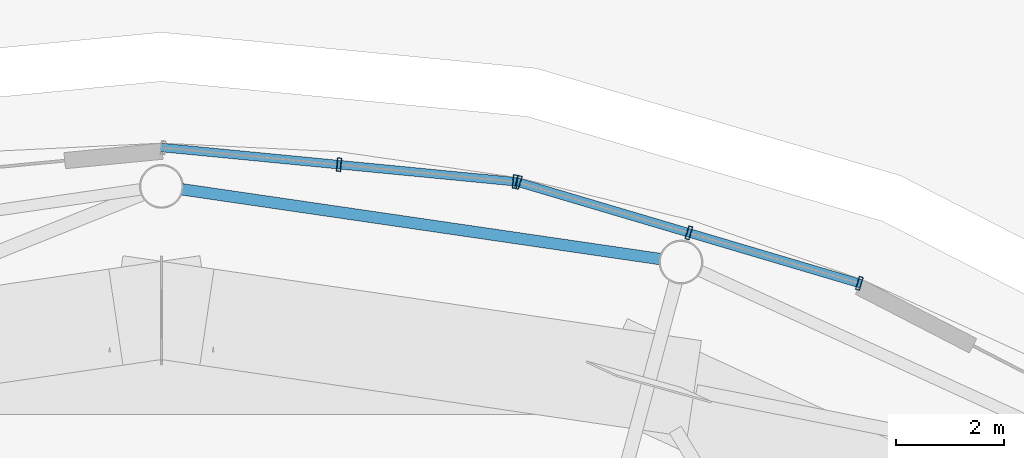
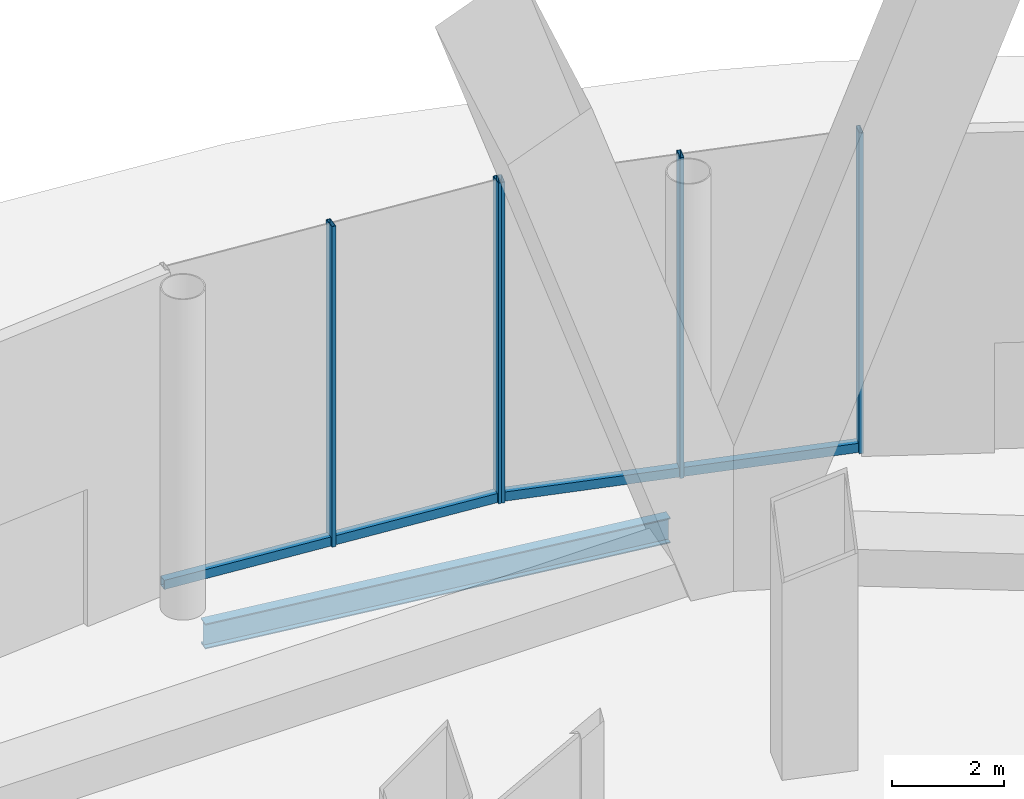
# One storey, part 53 of 67: 7 members, 1 beam, 2 elements without a shape of their own.
"""IFC4 building model written with IfcOpenShell, lengths in metres."""

from ifc_helpers import new_model, si_unit, direction, frame, origin, origin_2d, place, context, subcontext, project, spatial, hollow_rectangle, i_section, extrude, material, layer, layer_set, material_profile, profile_set, type_object, element, aggregate, save


model = new_model("IFC4")

# Units and contexts
model_context = context("Model", 3, precision=1e-05, world=origin(), true_north=direction((0.0, 1.0)))
body_context = subcontext(model_context, "Body", "Model", "MODEL_VIEW")
ifc_project = project(units=[si_unit("LENGTHUNIT", "METRE"), si_unit("AREAUNIT", "SQUARE_METRE"), si_unit("VOLUMEUNIT", "CUBIC_METRE"), si_unit("PLANEANGLEUNIT", "RADIAN"), si_unit("MASSUNIT", "GRAM", prefix="KILO")], contexts=[model_context])

# Site, building, storey
site_placement = place(None, origin())
site = spatial("IfcSite", under=ifc_project, at=site_placement, CompositionType="ELEMENT")
building_placement = place(site_placement, origin())
building = spatial("IfcBuilding", under=site, at=building_placement, Name="Nagisa Residences", CompositionType="ELEMENT")
storey_placement = place(building_placement, origin())
storey = spatial("IfcBuildingStorey", under=building, at=storey_placement, Name="L00", CompositionType="ELEMENT", Elevation=0.0)

# Beam
ifc_material_1 = material(Name="Steel ASTM A572 Gr 50", Category="steel")
ifc_material_profile_1 = material_profile(ifc_material_1, i_section(OverallWidth=0.214111328125, OverallDepth=0.549072265625, WebThickness=0.0146484375, FlangeThickness=0.023681640625, at=origin_2d()), Name="W530x138")
ifc_profile_set_1 = profile_set([ifc_material_profile_1], Name="Steel ASTM A572 Gr 50")
beam_type = type_object("IfcBeamType", Name="Atrium ring beam W530x138", PredefinedType="BEAM", material=ifc_profile_set_1)
beam_placement = place(storey_placement, frame((12.845703125, 39.851806640625, -0.674560546875), z_axis=(-0.989534278419, 0.144297996638, 0.0), x_axis=(-0.144297996638, -0.989534278419, 0.0)))
element("IfcBeam", 1, at=beam_placement, inside=storey, type_object=beam_type, Name="beam:L00:ab06", PredefinedType="BEAM", context=body_context, shape_type="SweptSolid", body=[
    extrude(i_section(OverallWidth=0.214111328125, OverallDepth=0.549072265625, WebThickness=0.0146484375, FlangeThickness=0.023681640625, at=origin_2d()), origin(), (0.0, 0.0, 1.0), 8.95703125),
])

# Curtain wall, members
ifc_material_2 = material(Name="Stainless steel curtain wall system", Category="steel")
ifc_layer = layer(ifc_material_2, 0.159912109375)
ifc_layer_set = layer_set([ifc_layer], Name="CW3 CURTAIN WALL")
curtain_wall_type = type_object("IfcCurtainWallType", Name="CW3 CURTAIN WALL", PredefinedType="NOTDEFINED", material=ifc_layer_set)
curtain_wall_1_placement = place(storey_placement, origin())
curtain_wall_1 = element("IfcCurtainWall", 2, at=curtain_wall_1_placement, inside=storey, type_object=curtain_wall_type, Name="cw:CW3:L00:07", PredefinedType="NOTDEFINED")
ifc_material_3 = material(Name="Stainless steel", Category="steel")
ifc_material_profile_2 = material_profile(ifc_material_3, hollow_rectangle(XDim=0.25, YDim=0.080078125, WallThickness=0.008056640625, at=origin_2d()), Name="CW3 MULLION 250x80")
ifc_profile_set_2 = profile_set([ifc_material_profile_2], Name="Stainless steel")
member_type_1 = type_object("IfcMemberType", Name="CW3 MULLION 250x80", PredefinedType="MULLION", material=ifc_profile_set_2)
member_1_placement = place(storey_placement, frame((16.53564453125, 39.40185546875, 0.0), z_axis=(0.0, 0.0, 1.0), x_axis=(-0.283963226669, -0.958835171393, 0.0)))
member_1 = element("IfcMember", 3, at=member_1_placement, type_object=member_type_1, Name="CW3 mullion", PredefinedType="MULLION", context=body_context, shape_type="SweptSolid", body=[
    extrude(hollow_rectangle(XDim=0.25, YDim=0.080078125, WallThickness=0.008056640625, at=origin_2d()), origin(), (0.0, 0.0, 1.0), 7.0),
])
member_2_placement = place(storey_placement, frame((13.375, 40.337890625, 0.0), z_axis=(0.0, 0.0, 1.0), x_axis=(-0.283963226669, -0.958835171393, 0.0)))
member_2 = element("IfcMember", 4, at=member_2_placement, type_object=member_type_1, Name="CW3 mullion", PredefinedType="MULLION", context=body_context, shape_type="SweptSolid", body=[
    extrude(hollow_rectangle(XDim=0.25, YDim=0.080078125, WallThickness=0.008056640625, at=origin_2d()), origin(), (0.0, 0.0, 1.0), 7.0),
])
member_3_placement = place(storey_placement, frame((10.21435546875, 41.27392578125, 0.0), z_axis=(0.0, 0.0, 1.0), x_axis=(-0.283963226669, -0.958835171393, 0.0)))
member_3 = element("IfcMember", 5, at=member_3_placement, type_object=member_type_1, Name="CW3 mullion", PredefinedType="MULLION", context=body_context, shape_type="SweptSolid", body=[
    extrude(hollow_rectangle(XDim=0.25, YDim=0.080078125, WallThickness=0.008056640625, at=origin_2d()), origin(), (0.0, 0.0, 1.0), 7.0),
])

curtain_wall_2_placement = place(storey_placement, origin())
curtain_wall_2 = element("IfcCurtainWall", 6, at=curtain_wall_2_placement, inside=storey, type_object=curtain_wall_type, Name="cw:CW3:L00:08", PredefinedType="NOTDEFINED")
member_4_placement = place(storey_placement, frame((10.151123046875, 41.2861328125, 0.0), z_axis=(0.0, 0.0, 1.0), x_axis=(-0.096249055035, -0.995357282289, 0.0)))
member_4 = element("IfcMember", 7, at=member_4_placement, type_object=member_type_1, Name="CW3 mullion", PredefinedType="MULLION", context=body_context, shape_type="SweptSolid", body=[
    extrude(hollow_rectangle(XDim=0.25, YDim=0.080078125, WallThickness=0.008056640625, at=origin_2d()), origin(), (0.0, 0.0, 1.0), 7.0),
])
member_5_placement = place(storey_placement, frame((6.8916015625, 41.601318359375, 0.0), z_axis=(0.0, 0.0, 1.0), x_axis=(-0.096249055035, -0.995357282289, 0.0)))
member_5 = element("IfcMember", 8, at=member_5_placement, type_object=member_type_1, Name="CW3 mullion", PredefinedType="MULLION", context=body_context, shape_type="SweptSolid", body=[
    extrude(hollow_rectangle(XDim=0.25, YDim=0.080078125, WallThickness=0.008056640625, at=origin_2d()), origin(), (0.0, 0.0, 1.0), 7.0),
])

# Member
ifc_material_4 = material(Name="Stainless steel", Category="steel")
ifc_material_profile_3 = material_profile(ifc_material_4, hollow_rectangle(XDim=0.159912109375, YDim=0.199951171875, WallThickness=0.008056640625, at=origin_2d()), Name="CW3 TRANSOM 160x200")
ifc_profile_set_3 = profile_set([ifc_material_profile_3], Name="Stainless steel")
member_type_2 = type_object("IfcMemberType", Name="CW3 TRANSOM 160x200", PredefinedType="USERDEFINED", material=ifc_profile_set_3)
member_6_placement = place(storey_placement, frame((16.573974609375, 39.390380859375, 0.10009765625), z_axis=(-0.958835384932, 0.283962505627, 0.0), x_axis=(-0.283962505627, -0.958835384932, 0.0)))
member_6 = element("IfcMember", 9, at=member_6_placement, type_object=member_type_2, Name="CW3 transom", ObjectType="TRANSOM", PredefinedType="USERDEFINED", context=body_context, shape_type="SweptSolid", body=[
    extrude(hollow_rectangle(XDim=0.159912109375, YDim=0.199951171875, WallThickness=0.008056640625, at=origin_2d()), origin(), (0.0, 0.0, 1.0), 6.672607421875),
])

aggregate(curtain_wall_1, [member_1, member_2, member_3, member_6])

member_7_placement = place(storey_placement, frame((10.19091796875, 41.2822265625, 0.10009765625), z_axis=(-0.995355706687, 0.096265347687, 0.0), x_axis=(-0.096265347687, -0.995355706687, 0.0)))
member_7 = element("IfcMember", 10, at=member_7_placement, type_object=member_type_2, Name="CW3 transom", ObjectType="TRANSOM", PredefinedType="USERDEFINED", context=body_context, shape_type="SweptSolid", body=[
    extrude(hollow_rectangle(XDim=0.159912109375, YDim=0.199951171875, WallThickness=0.008056640625, at=origin_2d()), origin(), (0.0, 0.0, 1.0), 6.62939453125),
])

aggregate(curtain_wall_2, [member_4, member_5, member_7])

save(model, "model.ifc")
